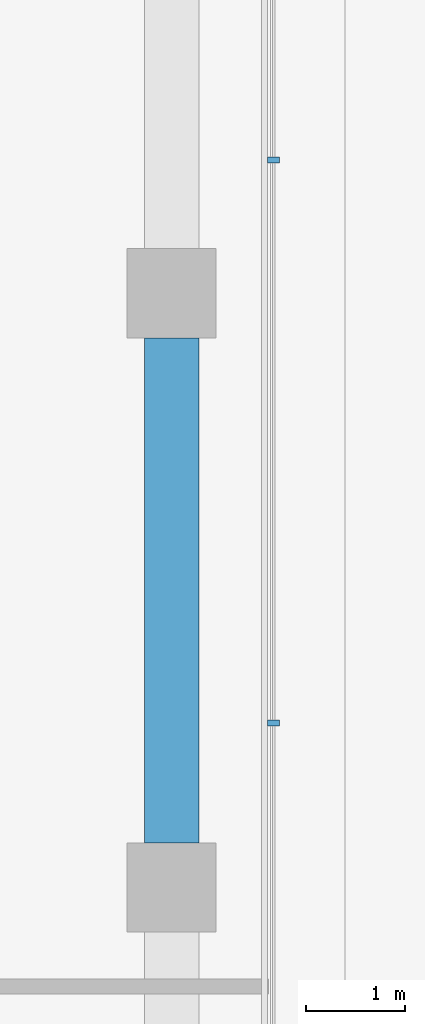
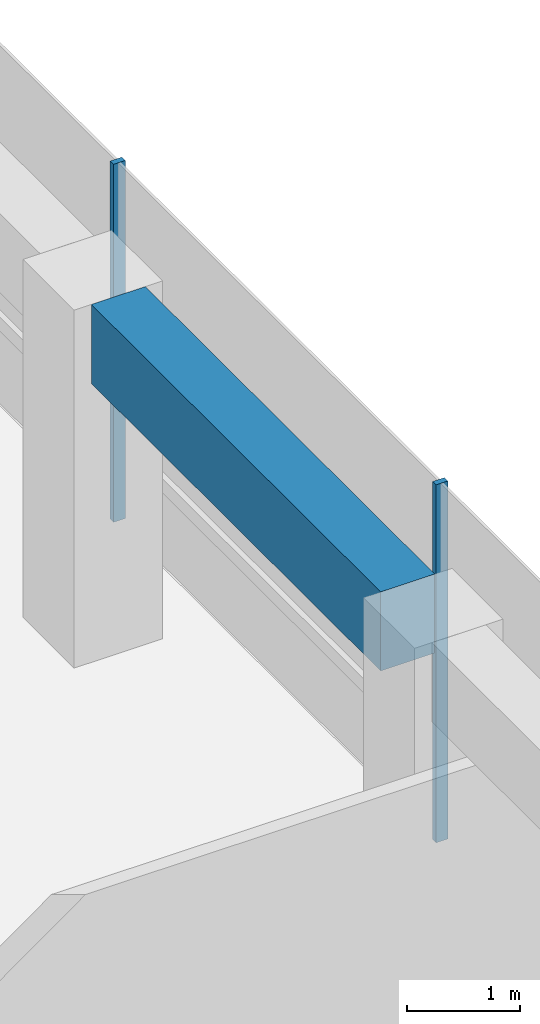
# One storey, part 15 of 23: 2 members, 1 beam, 1 element without a shape of its own.
"""IFC4 building model written with IfcOpenShell, lengths in metres."""

from ifc_helpers import new_model, si_unit, direction, frame, origin, origin_2d, place, context, subcontext, project, spatial, rectangle, extrude, material, layer, layer_set, material_profile, profile_set, type_object, element, aggregate, save


model = new_model("IFC4")

# Units and contexts
model_context = context("Model", 3, precision=1e-05, world=origin(), true_north=direction((0.0, 1.0)))
body_context = subcontext(model_context, "Body", "Model", "MODEL_VIEW")
ifc_project = project(units=[si_unit("LENGTHUNIT", "METRE"), si_unit("AREAUNIT", "SQUARE_METRE"), si_unit("VOLUMEUNIT", "CUBIC_METRE"), si_unit("PLANEANGLEUNIT", "RADIAN"), si_unit("MASSUNIT", "GRAM", prefix="KILO")], contexts=[model_context])

# Site, building, storey
site_placement = place(None, origin())
site = spatial("IfcSite", under=ifc_project, at=site_placement, CompositionType="ELEMENT")
building_placement = place(site_placement, origin())
building = spatial("IfcBuilding", under=site, at=building_placement, Name="Welwitschia Terrace Campus", CompositionType="ELEMENT")
storey_placement = place(building_placement, frame((0.0, 0.0, 205.39990234375)))
storey = spatial("IfcBuildingStorey", under=building, at=storey_placement, Name="L45", CompositionType="ELEMENT", Elevation=205.39990234375)

# Curtain wall, members
ifc_material_1 = material(Name="Bronze anodised aluminium", Category="aluminium")
ifc_layer = layer(ifc_material_1, 0.1201171875)
ifc_layer_set = layer_set([ifc_layer], Name="Bronze anodised aluminium")
curtain_wall_type = type_object("IfcCurtainWallType", Name="Curtain wall CW2 tower 6000", PredefinedType="NOTDEFINED", material=ifc_layer_set)
curtain_wall_placement = place(storey_placement, origin())
curtain_wall = element("IfcCurtainWall", 1, at=curtain_wall_placement, inside=storey, type_object=curtain_wall_type, Name="CW L45.7.0", PredefinedType="NOTDEFINED")
ifc_material_2 = material(Name="Bronze anodised aluminium", Category="aluminium")
ifc_material_profile_1 = material_profile(ifc_material_2, rectangle(XDim=0.1201171875, YDim=0.06005859375, at=origin_2d()))
ifc_profile_set_1 = profile_set([ifc_material_profile_1], Name="Bronze anodised aluminium")
member_type = type_object("IfcMemberType", Name="Mullion 60x120", PredefinedType="MULLION", material=ifc_profile_set_1)
member_1_placement = place(storey_placement, frame((25.030029296875, 59.65966796875, 0.0), z_axis=(0.0, 0.0, 1.0), x_axis=(-1.0, 0.0, 0.0)))
member_1 = element("IfcMember", 2, at=member_1_placement, type_object=member_type, Name="Mullion L45.7.0.4", PredefinedType="MULLION", context=body_context, shape_type="SweptSolid", body=[
    extrude(rectangle(XDim=0.1201171875, YDim=0.06005859375, at=origin_2d()), origin(), (0.0, 0.0, 1.0), 3.85009765625),
])
member_2_placement = place(storey_placement, frame((25.030029296875, 65.344970703125, 0.0), z_axis=(0.0, 0.0, 1.0), x_axis=(-1.0, 0.0, 0.0)))
member_2 = element("IfcMember", 3, at=member_2_placement, type_object=member_type, Name="Mullion L45.7.0.5", PredefinedType="MULLION", context=body_context, shape_type="SweptSolid", body=[
    extrude(rectangle(XDim=0.1201171875, YDim=0.06005859375, at=origin_2d()), origin(), (0.0, 0.0, 1.0), 3.85009765625),
])
aggregate(curtain_wall, [member_1, member_2])

# Beam
ifc_material_3 = material(Name="Concrete C50/60", Category="concrete")
ifc_material_profile_2 = material_profile(ifc_material_3, rectangle(XDim=0.550048828125, YDim=0.85009765625, at=origin_2d()))
ifc_profile_set_2 = profile_set([ifc_material_profile_2], Name="Concrete C50/60")
beam_type = type_object("IfcBeamType", Name="Ring spandrel 550x850", PredefinedType="SPANDREL", material=ifc_profile_set_2)
beam_placement = place(storey_placement, frame((24.0, 58.450439453125, 3.425048828125), z_axis=(0.0, 1.0, 0.0), x_axis=(-1.0, 0.0, 0.0)))
element("IfcBeam", 4, at=beam_placement, inside=storey, type_object=beam_type, Name="Spandrel SP3", PredefinedType="SPANDREL", context=body_context, shape_type="SweptSolid", body=[
    extrude(rectangle(XDim=0.550048828125, YDim=0.85009765625, at=origin_2d()), origin(), (0.0, 0.0, 1.0), 5.09912109375),
])

save(model, "model.ifc")
